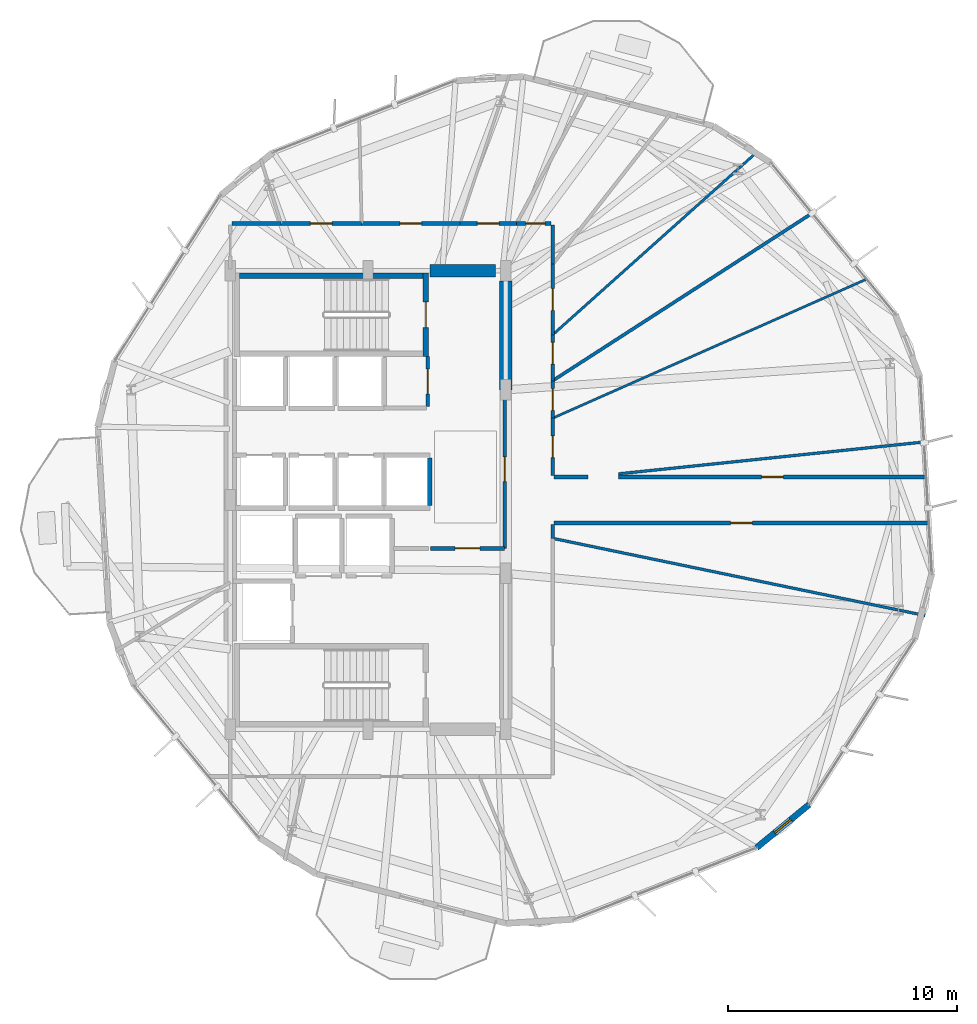
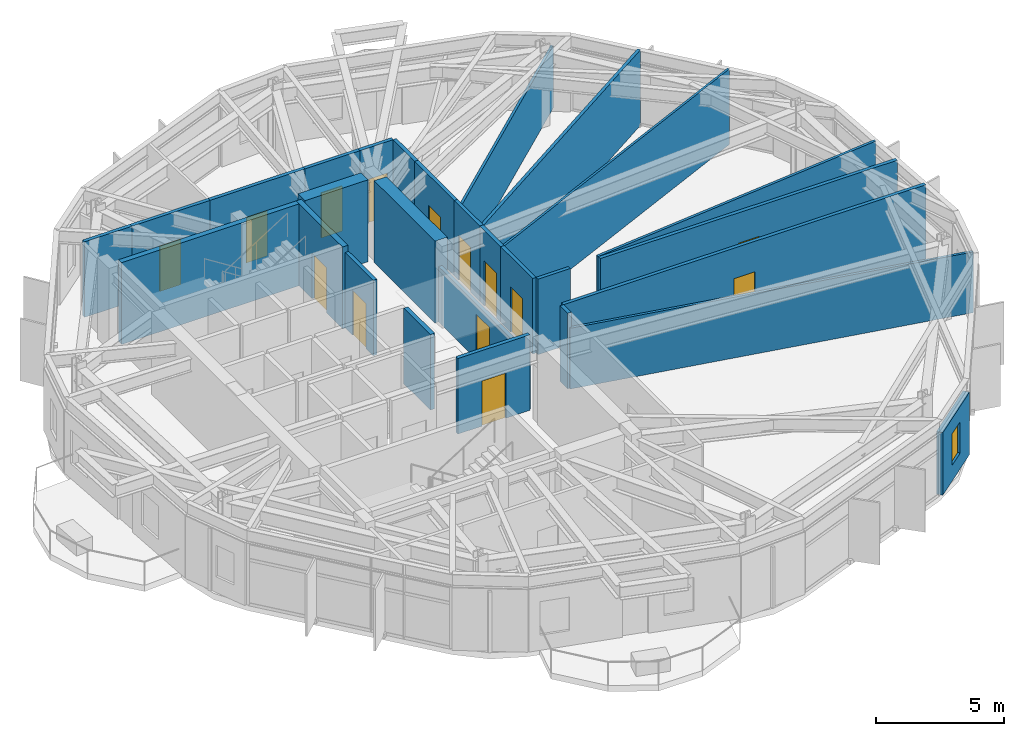
# One storey, part 18 of 22: 28 walls, 14 doors, 1 window, 15 openings.
"""IFC4 building model written with IfcOpenShell, lengths in metres."""

import ifcopenshell
import ifcopenshell.guid

model = None  # the IFC model being written
_history = None  # IfcOwnerHistory: only IFC2X3 demands one
_inside = {}  # id of a spatial element -> (the spatial element, [elements in it])
_under = {}  # id of a project, library or spatial element -> (it, [spatial elements below it])
_declared = {}  # id of a project -> (the project, [libraries it declares])
_typed = {}  # id of a type object -> (the type object, [elements of that type])
_made_of = {}  # id of a material, layer set ... -> (it, [elements and type objects made of it])


def new_model(schema):
    """Start an empty IFC model of exactly this schema.

    Asked for "IFC4X3", IfcOpenShell would pick the latest addendum, in which some entities
    have other attributes; the version numbers below select the first issue.
    IFC2X3 requires an IfcOwnerHistory on every rooted entity: one is made here for all.
    """
    global model, _history
    if schema == "IFC4X3":
        model = ifcopenshell.file(schema_version=(4, 3, 0, 0))
    else:
        model = ifcopenshell.file(schema=schema)
    _inside.clear()
    _under.clear()
    _declared.clear()
    _typed.clear()
    _made_of.clear()
    _history = None
    if model.schema == "IFC2X3":
        org = make("IfcOrganization", Name="unknown")
        user = make(
            "IfcPersonAndOrganization",
            ThePerson=make("IfcPerson", FamilyName="unknown"),
            TheOrganization=org,
        )
        app = make(
            "IfcApplication",
            ApplicationDeveloper=org,
            Version="unknown",
            ApplicationFullName="unknown",
            ApplicationIdentifier="unknown",
        )
        _history = make(
            "IfcOwnerHistory",
            OwningUser=user,
            OwningApplication=app,
            ChangeAction="ADDED",
            CreationDate=0,
        )
    return model


def make(cls, **values):
    """One entity of the class cls with the attributes given. An attribute that is None is left unset."""
    return model.create_entity(
        cls, **{name: value for name, value in values.items() if value is not None}
    )


def rooted(cls, **values):
    """An entity with a GlobalId (a new one), such as an element, a storey or a relation."""
    return make(cls, GlobalId=ifcopenshell.guid.new(), OwnerHistory=_history, **values)


def si_unit(unit_type, name, prefix=None):
    """IfcSIUnit, for example si_unit("LENGTHUNIT", "METRE", prefix="MILLI")."""
    return make("IfcSIUnit", UnitType=unit_type, Prefix=prefix, Name=name)


def assignment(units):
    """IfcUnitAssignment: the units of a project."""
    return None if units is None else make("IfcUnitAssignment", Units=units)


def point(xyz):
    """IfcCartesianPoint."""
    return None if xyz is None else make("IfcCartesianPoint", Coordinates=xyz)


def direction(xyz):
    """IfcDirection."""
    return None if xyz is None else make("IfcDirection", DirectionRatios=xyz)


def frame(location, z_axis=None, x_axis=None):
    """IfcAxis2Placement3D, a coordinate frame: its origin and axes. An axis left out is left unset."""
    return make(
        "IfcAxis2Placement3D",
        Location=point(location),
        Axis=direction(z_axis),
        RefDirection=direction(x_axis),
    )


def frame_2d(location, x_axis=None):
    """IfcAxis2Placement2D, a coordinate frame in the plane: its origin and x axis."""
    return make(
        "IfcAxis2Placement2D", Location=point(location), RefDirection=direction(x_axis)
    )


def origin():
    """The frame at (0, 0, 0) with its axes left unset."""
    return frame((0.0, 0.0, 0.0))


def place(relative_to, where):
    """IfcLocalPlacement: puts the frame where relative to a parent placement (None: the world)."""
    return make(
        "IfcLocalPlacement", PlacementRelTo=relative_to, RelativePlacement=where
    )


def context(
    kind, dimensions, precision=None, world=None, true_north=None, identifier=None
):
    """IfcGeometricRepresentationContext, for example the 3D "Model" context."""
    return make(
        "IfcGeometricRepresentationContext",
        ContextIdentifier=identifier,
        ContextType=kind,
        CoordinateSpaceDimension=dimensions,
        Precision=precision,
        WorldCoordinateSystem=world,
        TrueNorth=true_north,
    )


def subcontext(parent, identifier, kind, view, scale=None):
    """IfcGeometricRepresentationSubContext, for example "Body" below "Model"."""
    return make(
        "IfcGeometricRepresentationSubContext",
        ContextIdentifier=identifier,
        ContextType=kind,
        ParentContext=parent,
        TargetScale=scale,
        TargetView=view,
    )


def project(units=None, contexts=None):
    """IfcProject with its units and contexts."""
    return rooted(
        "IfcProject",
        Name="project",
        RepresentationContexts=contexts,
        UnitsInContext=assignment(units),
    )


def spatial(cls, under=None, at=None, **own):
    """A site, building, storey or space (cls), placed at a placement, below another one or the project."""
    s = rooted(cls, ObjectPlacement=at, **own)
    if under is not None:
        _under.setdefault(under.id(), (under, []))[1].append(s)
    return s


def profile(cls, at=None, kind="AREA", **sizes):
    """A parametric profile (cls). Its sizes go by their IFC names, for example OverallWidth=200.0."""
    return make(cls, ProfileType=kind, Position=at, **sizes)


def rectangle(**sizes):
    """IfcRectangleProfileDef."""
    return profile("IfcRectangleProfileDef", **sizes)


def extrude(swept, where, along, depth):
    """IfcExtrudedAreaSolid: the profile swept, set in the frame where, extruded along a direction by depth."""
    return make(
        "IfcExtrudedAreaSolid",
        SweptArea=swept,
        Position=where,
        ExtrudedDirection=direction(along),
        Depth=depth,
    )


def shape(context_of_items, identifier, shape_type, items):
    """IfcShapeRepresentation: the items that make up one representation, for example the "Body"."""
    return make(
        "IfcShapeRepresentation",
        ContextOfItems=context_of_items,
        RepresentationIdentifier=identifier,
        RepresentationType=shape_type,
        Items=items,
    )


def material(Name=None, Category=None):
    """IfcMaterial."""
    return make("IfcMaterial", Name=Name, Category=Category)


def layer(
    of_material, thickness, ventilated=None, Name=None, Category=None, Priority=None
):
    """IfcMaterialLayer: one layer of a wall or slab, of a material (None: an air gap)."""
    return make(
        "IfcMaterialLayer",
        Material=of_material,
        LayerThickness=thickness,
        IsVentilated=ventilated,
        Name=Name,
        Category=Category,
        Priority=Priority,
    )


def layer_set(layers, Name=None):
    """IfcMaterialLayerSet."""
    return make("IfcMaterialLayerSet", MaterialLayers=layers, LayerSetName=Name)


def made_of(thing, what):
    """Note that an element or type object is made of a material, layer set ...; save() writes the relation."""
    if what is not None:
        _made_of.setdefault(what.id(), (what, []))[1].append(thing)
    return thing


def type_object(cls, material=None, **own):
    """A type object (cls), such as IfcWallType, which elements share."""
    return made_of(rooted(cls, **own), material)


def element(
    cls,
    number,
    at=None,
    inside=None,
    cuts=None,
    type_object=None,
    material=None,
    context=None,
    identifier="Body",
    shape_type=None,
    held_by="IfcProductDefinitionShape",
    body=None,
    shapes=None,
    **own,
):
    """One element of the class cls, such as IfcWall. Its Tag is "e" and its number.

    at: its placement. inside: the storey or other place that contains it. cuts: it is an
    opening in that element (IfcRelVoidsElement). A single representation is given by context,
    identifier, shape_type and body (its items); several are given by shapes. held_by: the class
    of the entity that holds the representations. save() writes the other relations.
    """
    e = rooted(cls, Tag="e%d" % number, ObjectPlacement=at, **own)
    if body is not None:
        shapes = [shape(context, identifier, shape_type, body)]
    if shapes is not None:
        e.Representation = make(held_by, Representations=shapes)
    if inside is not None:
        _inside.setdefault(inside.id(), (inside, []))[1].append(e)
    if cuts is not None:
        rooted(
            "IfcRelVoidsElement", RelatingBuildingElement=cuts, RelatedOpeningElement=e
        )
    if type_object is not None:
        _typed.setdefault(type_object.id(), (type_object, []))[1].append(e)
    return made_of(e, material)


def fill(opening, filler):
    """IfcRelFillsElement: the door or window that sits in an opening."""
    return rooted(
        "IfcRelFillsElement",
        RelatingOpeningElement=opening,
        RelatedBuildingElement=filler,
    )


def aggregate(whole, parts):
    """IfcRelAggregates: a whole, such as a stair, and the parts it consists of."""
    return rooted("IfcRelAggregates", RelatingObject=whole, RelatedObjects=parts)


def save(model, path):
    """Write the relations noted so far, then the file.

    IfcRelAggregates (storeys below a building ...), IfcRelContainedInSpatialStructure (elements
    in a storey), IfcRelDefinesByType, IfcRelAssociatesMaterial and IfcRelDeclares: one each for
    every whole, place, type object, material and project.
    """
    for whole, parts in _under.values():
        aggregate(whole, parts)
    for where, things in _inside.values():
        rooted(
            "IfcRelContainedInSpatialStructure",
            RelatedElements=things,
            RelatingStructure=where,
        )
    for kind, things in _typed.values():
        rooted("IfcRelDefinesByType", RelatedObjects=things, RelatingType=kind)
    for what, things in _made_of.values():
        rooted("IfcRelAssociatesMaterial", RelatedObjects=things, RelatingMaterial=what)
    for by, libraries in _declared.values():
        rooted("IfcRelDeclares", RelatingContext=by, RelatedDefinitions=libraries)
    model.write(path)


model = new_model("IFC4")

# Units and contexts
model_context = context("Model", 3, precision=1e-05, world=origin(), true_north=direction((0.0, 1.0)))
body_context = subcontext(model_context, "Body", "Model", "MODEL_VIEW")
ifc_project = project(units=[si_unit("LENGTHUNIT", "METRE"), si_unit("AREAUNIT", "SQUARE_METRE"), si_unit("VOLUMEUNIT", "CUBIC_METRE"), si_unit("PLANEANGLEUNIT", "RADIAN"), si_unit("MASSUNIT", "GRAM", prefix="KILO")], contexts=[model_context])

# Site, building, storey
site_placement = place(None, origin())
site = spatial("IfcSite", under=ifc_project, at=site_placement, CompositionType="ELEMENT")
building_placement = place(site_placement, origin())
building = spatial("IfcBuilding", under=site, at=building_placement, Name="Soratama Intermodal Tower", CompositionType="ELEMENT")
storey_placement = place(building_placement, frame((0.0, 0.0, 110.800048828125)))
storey = spatial("IfcBuildingStorey", under=building, at=storey_placement, Name="L26", CompositionType="ELEMENT", Elevation=110.800048828125)

# Wall, opening, window
ifc_material_1 = material(Name="Concrete f'c 42 MPa", Category="concrete")
ifc_layer_1 = layer(ifc_material_1, 0.27001953125)
ifc_layer_set_1 = layer_set([ifc_layer_1], Name="Concrete f'c 42 MPa")
wall_type_1 = type_object("IfcWallType", Name="EW-CRN-270", PredefinedType="SOLIDWALL", material=ifc_layer_set_1)
wall_1_placement = place(storey_placement, frame((55.541015625, 9.84033203125, 0.0), z_axis=(0.0, 0.0, 1.0), x_axis=(0.772514297214, 0.634997370545, 0.0)))
wall_1 = element("IfcWall", 1, at=wall_1_placement, inside=storey, type_object=wall_type_1, Name="L26 Corner Closure Wall 08", PredefinedType="SOLIDWALL", context=body_context, shape_type="SweptSolid", body=[
    extrude(rectangle(XDim=2.966552734375, YDim=0.27001953125, at=frame_2d((1.4833984375, 0.0))), origin(), (0.0, 0.0, 1.0), 2.97900390625),
])
opening_1_placement = place(wall_1_placement, frame((1.033203125, 0.0, 0.75)))
opening_1 = element("IfcOpeningElement", 2, at=opening_1_placement, cuts=wall_1, Name="Opening WN-6", PredefinedType="OPENING", context=body_context, shape_type="SweptSolid", body=[
    extrude(rectangle(XDim=0.89990234375, YDim=1.5, at=frame_2d((0.449951171875, 0.75))), frame((0.0, 0.14501953125, 0.0), z_axis=(0.0, -1.0, 0.0), x_axis=(1.0, 0.0, 0.0)), (0.0, 0.0, 1.0), 0.2900390625),
])
ifc_material_2 = material(Name="Double-glazed aluminium window", Category="aluminium")
window_type = type_object("IfcWindowType", Name="WN-FAC-900", PartitioningType="SINGLE_PANEL", PredefinedType="WINDOW", material=ifc_material_2)
window_placement = place(opening_1_placement, origin())
window = element("IfcWindow", 3, at=window_placement, inside=storey, type_object=window_type, Name="L26 Corner Window 08", OverallHeight=1.5, OverallWidth=0.89990234375, PartitioningType="SINGLE_PANEL", PredefinedType="WINDOW", context=body_context, shape_type="SweptSolid", body=[
    extrude(rectangle(XDim=0.89990234375, YDim=1.5, at=frame_2d((0.449951171875, 0.75))), frame((0.0, 0.030029296875, 0.0), z_axis=(0.0, -1.0, 0.0), x_axis=(1.0, 0.0, 0.0)), (0.0, 0.0, 1.0), 0.06005859375),
])
fill(opening_1, window)

# Wall, opening, door
ifc_material_3 = material(Name="Fire-rated gypsum stud partition", Category="concrete")
ifc_layer_2 = layer(ifc_material_3, 0.159912109375)
ifc_layer_set_2 = layer_set([ifc_layer_2], Name="Fire-rated gypsum stud partition")
wall_type_2 = type_object("IfcWallType", Name="IW-PART-R160", PredefinedType="PARTITIONING", material=ifc_layer_set_2)
wall_2_placement = place(storey_placement, frame((63.053955078125, 24.0, 0.0), z_axis=(0.0, 0.0, 1.0), x_axis=(-1.0, 0.0, 0.0)))
wall_2 = element("IfcWall", 4, at=wall_2_placement, inside=storey, type_object=wall_type_2, Name="L26 Partition W-L26-TP002", PredefinedType="PARTITIONING", context=body_context, shape_type="SweptSolid", body=[
    extrude(rectangle(XDim=16.333984375, YDim=0.159912109375, at=frame_2d((8.1669921875, 0.0))), origin(), (0.0, 0.0, 1.0), 3.599853515625),
])
opening_2_placement = place(wall_2_placement, frame((7.69189453125, 0.0, 0.0)))
opening_2 = element("IfcOpeningElement", 5, at=opening_2_placement, cuts=wall_2, Name="Opening ID-3", PredefinedType="OPENING", context=body_context, shape_type="SweptSolid", body=[
    extrude(rectangle(XDim=0.949951171875, YDim=2.14990234375, at=frame_2d((0.47509765625, 1.074951171875))), frame((0.0, 0.08984375, 0.0), z_axis=(0.0, -1.0, 0.0), x_axis=(1.0, 0.0, 0.0)), (0.0, 0.0, 1.0), 0.179931640625),
])
ifc_material_4 = material(Name="Solid hardwood acoustic door", Category="wood")
door_type_1 = type_object("IfcDoorType", Name="DR-ROOM-950", OperationType="NOTDEFINED", PredefinedType="DOOR", material=ifc_material_4)
door_1_placement = place(opening_2_placement, origin())
door_1 = element("IfcDoor", 6, at=door_1_placement, inside=storey, type_object=door_type_1, Name="L26 Door D-L26-TP001", OperationType="SINGLE_SWING_RIGHT", OverallHeight=2.14990234375, OverallWidth=0.949951171875, PredefinedType="DOOR", context=body_context, shape_type="SweptSolid", body=[
    extrude(rectangle(XDim=0.949951171875, YDim=2.14990234375, at=frame_2d((0.47509765625, 1.074951171875))), frame((0.0, 0.02490234375, 0.0), z_axis=(0.0, -1.0, 0.0), x_axis=(1.0, 0.0, 0.0)), (0.0, 0.0, 1.0), 0.050048828125),
])
fill(opening_2, door_1)

wall_3_placement = place(storey_placement, frame((49.531982421875, 26.0, 0.0), z_axis=(0.0, 0.0, 1.0), x_axis=(1.0, 0.0, 0.0)))
wall_3 = element("IfcWall", 7, at=wall_3_placement, inside=storey, type_object=wall_type_2, Name="L26 Partition W-L26-TP005", PredefinedType="PARTITIONING", context=body_context, shape_type="SweptSolid", body=[
    extrude(rectangle(XDim=13.402099609375, YDim=0.159912109375, at=frame_2d((6.701171875, 0.0))), origin(), (0.0, 0.0, 1.0), 3.599853515625),
])
opening_3_placement = place(wall_3_placement, frame((6.22607421875, 0.0, 0.0)))
opening_3 = element("IfcOpeningElement", 8, at=opening_3_placement, cuts=wall_3, Name="Opening ID-3", PredefinedType="OPENING", context=body_context, shape_type="SweptSolid", body=[
    extrude(rectangle(XDim=0.949951171875, YDim=2.14990234375, at=frame_2d((0.47509765625, 1.074951171875))), frame((0.0, 0.08984375, 0.0), z_axis=(0.0, -1.0, 0.0), x_axis=(1.0, 0.0, 0.0)), (0.0, 0.0, 1.0), 0.179931640625),
])
door_2_placement = place(opening_3_placement, origin())
door_2 = element("IfcDoor", 9, at=door_2_placement, inside=storey, type_object=door_type_1, Name="L26 Door D-L26-TP002", OperationType="SINGLE_SWING_LEFT", OverallHeight=2.14990234375, OverallWidth=0.949951171875, PredefinedType="DOOR", context=body_context, shape_type="SweptSolid", body=[
    extrude(rectangle(XDim=0.949951171875, YDim=2.14990234375, at=frame_2d((0.47509765625, 1.074951171875))), frame((0.0, 0.02490234375, 0.0), z_axis=(0.0, -1.0, 0.0), x_axis=(1.0, 0.0, 0.0)), (0.0, 0.0, 1.0), 0.050048828125),
])
fill(opening_3, door_2)

wall_4_placement = place(storey_placement, frame((44.56005859375, 29.800048828125, 0.0), z_axis=(0.0, 0.0, 1.0), x_axis=(0.0, -1.0, 0.0)))
wall_4 = element("IfcWall", 10, at=wall_4_placement, inside=storey, type_object=wall_type_2, Name="L26 Partition W-L26-TP012", PredefinedType="PARTITIONING", context=body_context, shape_type="SweptSolid", body=[
    extrude(rectangle(XDim=6.91015625, YDim=0.159912109375, at=frame_2d((3.455078125, 0.0))), origin(), (0.0, 0.0, 1.0), 2.639892578125),
])
opening_4_placement = place(wall_4_placement, frame((2.9150390625, 0.0, 0.0)))
opening_4 = element("IfcOpeningElement", 11, at=opening_4_placement, cuts=wall_4, Name="Opening ID-1", PredefinedType="OPENING", context=body_context, shape_type="SweptSolid", body=[
    extrude(rectangle(XDim=1.080078125, YDim=2.14990234375, at=frame_2d((0.5400390625, 1.074951171875))), frame((0.0, 0.08984375, 0.0), z_axis=(0.0, -1.0, 0.0), x_axis=(1.0, 0.0, 0.0)), (0.0, 0.0, 1.0), 0.179931640625),
])
ifc_material_5 = material(Name="Solid hardwood acoustic door", Category="wood")
door_type_2 = type_object("IfcDoorType", Name="DR-LOB-FD60", OperationType="NOTDEFINED", PredefinedType="DOOR", material=ifc_material_5)
door_3_placement = place(opening_4_placement, origin())
door_3 = element("IfcDoor", 12, at=door_3_placement, inside=storey, type_object=door_type_2, Name="L26 Door D-L26-TP005", OperationType="SINGLE_SWING_RIGHT", OverallHeight=2.14990234375, OverallWidth=1.080078125, PredefinedType="DOOR", context=body_context, shape_type="SweptSolid", body=[
    extrude(rectangle(XDim=1.080078125, YDim=2.14990234375, at=frame_2d((0.5400390625, 1.074951171875))), frame((0.0, 0.02490234375, 0.0), z_axis=(0.0, -1.0, 0.0), x_axis=(1.0, 0.0, 0.0)), (0.0, 0.0, 1.0), 0.050048828125),
])
fill(opening_4, door_3)

wall_5_placement = place(storey_placement, frame((38.323974609375, 37.050048828125, 0.0), z_axis=(0.0, 0.0, 1.0), x_axis=(1.0, 0.0, 0.0)))
wall_5 = element("IfcWall", 13, at=wall_5_placement, inside=storey, type_object=wall_type_2, Name="L26 Partition W-L26-TP017", PredefinedType="PARTITIONING", context=body_context, shape_type="SweptSolid", body=[
    extrude(rectangle(XDim=4.2900390625, YDim=0.159912109375, at=frame_2d((2.14501953125, 0.0))), origin(), (0.0, 0.0, 1.0), 3.599853515625),
])
opening_5_placement = place(wall_5_placement, frame((1.669921875, 0.0, 0.0)))
opening_5 = element("IfcOpeningElement", 14, at=opening_5_placement, cuts=wall_5, Name="Opening ID-3", PredefinedType="OPENING", context=body_context, shape_type="SweptSolid", body=[
    extrude(rectangle(XDim=0.949951171875, YDim=2.14990234375, at=frame_2d((0.47509765625, 1.074951171875))), frame((0.0, 0.08984375, 0.0), z_axis=(0.0, -1.0, 0.0), x_axis=(1.0, 0.0, 0.0)), (0.0, 0.0, 1.0), 0.179931640625),
])
door_4_placement = place(opening_5_placement, origin())
door_4 = element("IfcDoor", 15, at=door_4_placement, inside=storey, type_object=door_type_1, Name="L26 Door D-L26-TP006", OperationType="SINGLE_SWING_LEFT", OverallHeight=2.14990234375, OverallWidth=0.949951171875, PredefinedType="DOOR", context=body_context, shape_type="SweptSolid", body=[
    extrude(rectangle(XDim=0.949951171875, YDim=2.14990234375, at=frame_2d((0.47509765625, 1.074951171875))), frame((0.0, 0.02490234375, 0.0), z_axis=(0.0, -1.0, 0.0), x_axis=(1.0, 0.0, 0.0)), (0.0, 0.0, 1.0), 0.050048828125),
])
fill(opening_5, door_4)

wall_6_placement = place(storey_placement, frame((34.81005859375, 37.050048828125, 0.0), z_axis=(0.0, 0.0, 1.0), x_axis=(1.0, 0.0, 0.0)))
wall_6 = element("IfcWall", 16, at=wall_6_placement, inside=storey, type_object=wall_type_2, Name="L26 Partition W-L26-TP020", PredefinedType="PARTITIONING", context=body_context, shape_type="SweptSolid", body=[
    extrude(rectangle(XDim=3.513916015625, YDim=0.159912109375, at=frame_2d((1.7568359375, 0.0))), origin(), (0.0, 0.0, 1.0), 3.599853515625),
])
opening_6_placement = place(wall_6_placement, frame((1.281982421875, 0.0, 0.0)))
opening_6 = element("IfcOpeningElement", 17, at=opening_6_placement, cuts=wall_6, Name="Opening ID-3", PredefinedType="OPENING", context=body_context, shape_type="SweptSolid", body=[
    extrude(rectangle(XDim=0.949951171875, YDim=2.14990234375, at=frame_2d((0.47509765625, 1.074951171875))), frame((0.0, 0.08984375, 0.0), z_axis=(0.0, -1.0, 0.0), x_axis=(1.0, 0.0, 0.0)), (0.0, 0.0, 1.0), 0.179931640625),
])
door_5_placement = place(opening_6_placement, origin())
door_5 = element("IfcDoor", 18, at=door_5_placement, inside=storey, type_object=door_type_1, Name="L26 Door D-L26-TP008", OperationType="SINGLE_SWING_LEFT", OverallHeight=2.14990234375, OverallWidth=0.949951171875, PredefinedType="DOOR", context=body_context, shape_type="SweptSolid", body=[
    extrude(rectangle(XDim=0.949951171875, YDim=2.14990234375, at=frame_2d((0.47509765625, 1.074951171875))), frame((0.0, 0.02490234375, 0.0), z_axis=(0.0, -1.0, 0.0), x_axis=(1.0, 0.0, 0.0)), (0.0, 0.0, 1.0), 0.050048828125),
])
fill(opening_6, door_5)

wall_7_placement = place(storey_placement, frame((46.64990234375, 35.277099609375, 0.0), z_axis=(0.0, 0.0, 1.0), x_axis=(0.0, -1.0, 0.0)))
wall_7 = element("IfcWall", 19, at=wall_7_placement, inside=storey, type_object=wall_type_2, Name="L26 Partition W-L26-TP024", PredefinedType="PARTITIONING", context=body_context, shape_type="SweptSolid", body=[
    extrude(rectangle(XDim=3.078125, YDim=0.159912109375, at=frame_2d((1.5390625, 0.0))), origin(), (0.0, 0.0, 1.0), 3.599853515625),
])
opening_7_placement = place(wall_7_placement, frame((1.06396484375, 0.0, 0.0)))
opening_7 = element("IfcOpeningElement", 20, at=opening_7_placement, cuts=wall_7, Name="Opening ID-3", PredefinedType="OPENING", context=body_context, shape_type="SweptSolid", body=[
    extrude(rectangle(XDim=0.949951171875, YDim=2.14990234375, at=frame_2d((0.47509765625, 1.074951171875))), frame((0.0, 0.08984375, 0.0), z_axis=(0.0, -1.0, 0.0), x_axis=(1.0, 0.0, 0.0)), (0.0, 0.0, 1.0), 0.179931640625),
])
door_6_placement = place(opening_7_placement, origin())
door_6 = element("IfcDoor", 21, at=door_6_placement, inside=storey, type_object=door_type_1, Name="L26 Door D-L26-TP010", OperationType="SINGLE_SWING_LEFT", OverallHeight=2.14990234375, OverallWidth=0.949951171875, PredefinedType="DOOR", context=body_context, shape_type="SweptSolid", body=[
    extrude(rectangle(XDim=0.949951171875, YDim=2.14990234375, at=frame_2d((0.47509765625, 1.074951171875))), frame((0.0, 0.02490234375, 0.0), z_axis=(0.0, -1.0, 0.0), x_axis=(1.0, 0.0, 0.0)), (0.0, 0.0, 1.0), 0.050048828125),
])
fill(opening_7, door_6)

wall_8_placement = place(storey_placement, frame((46.64990234375, 28.56591796875, 0.0), z_axis=(0.0, 0.0, 1.0), x_axis=(0.0, -1.0, 0.0)))
wall_8 = element("IfcWall", 22, at=wall_8_placement, inside=storey, type_object=wall_type_2, Name="L26 Partition W-L26-TP026", PredefinedType="PARTITIONING", context=body_context, shape_type="SweptSolid", body=[
    extrude(rectangle(XDim=2.495849609375, YDim=0.159912109375, at=frame_2d((1.248046875, 0.0))), origin(), (0.0, 0.0, 1.0), 3.599853515625),
])
opening_8_placement = place(wall_8_placement, frame((0.77294921875, 0.0, 0.0)))
opening_8 = element("IfcOpeningElement", 23, at=opening_8_placement, cuts=wall_8, Name="Opening ID-3", PredefinedType="OPENING", context=body_context, shape_type="SweptSolid", body=[
    extrude(rectangle(XDim=0.949951171875, YDim=2.14990234375, at=frame_2d((0.47509765625, 1.074951171875))), frame((0.0, 0.08984375, 0.0), z_axis=(0.0, -1.0, 0.0), x_axis=(1.0, 0.0, 0.0)), (0.0, 0.0, 1.0), 0.179931640625),
])
door_7_placement = place(opening_8_placement, origin())
door_7 = element("IfcDoor", 24, at=door_7_placement, inside=storey, type_object=door_type_1, Name="L26 Door D-L26-TP011", OperationType="SINGLE_SWING_RIGHT", OverallHeight=2.14990234375, OverallWidth=0.949951171875, PredefinedType="DOOR", context=body_context, shape_type="SweptSolid", body=[
    extrude(rectangle(XDim=0.949951171875, YDim=2.14990234375, at=frame_2d((0.47509765625, 1.074951171875))), frame((0.0, 0.02490234375, 0.0), z_axis=(0.0, -1.0, 0.0), x_axis=(1.0, 0.0, 0.0)), (0.0, 0.0, 1.0), 0.050048828125),
])
fill(opening_8, door_7)

wall_9_placement = place(storey_placement, frame((42.614013671875, 37.050048828125, 0.0), z_axis=(0.0, 0.0, 1.0), x_axis=(1.0, 0.0, 0.0)))
wall_9 = element("IfcWall", 25, at=wall_9_placement, inside=storey, type_object=wall_type_2, Name="L26 Partition W-L26-TP027", PredefinedType="PARTITIONING", context=body_context, shape_type="SweptSolid", body=[
    extrude(rectangle(XDim=2.4599609375, YDim=0.159912109375, at=frame_2d((1.22998046875, 0.0))), origin(), (0.0, 0.0, 1.0), 3.599853515625),
])
opening_9_placement = place(wall_9_placement, frame((0.7548828125, 0.0, 0.0)))
opening_9 = element("IfcOpeningElement", 26, at=opening_9_placement, cuts=wall_9, Name="Opening ID-3", PredefinedType="OPENING", context=body_context, shape_type="SweptSolid", body=[
    extrude(rectangle(XDim=0.949951171875, YDim=2.14990234375, at=frame_2d((0.47509765625, 1.074951171875))), frame((0.0, 0.08984375, 0.0), z_axis=(0.0, -1.0, 0.0), x_axis=(1.0, 0.0, 0.0)), (0.0, 0.0, 1.0), 0.179931640625),
])
door_8_placement = place(opening_9_placement, origin())
door_8 = element("IfcDoor", 27, at=door_8_placement, inside=storey, type_object=door_type_1, Name="L26 Door D-L26-TP012", OperationType="SINGLE_SWING_LEFT", OverallHeight=2.14990234375, OverallWidth=0.949951171875, PredefinedType="DOOR", context=body_context, shape_type="SweptSolid", body=[
    extrude(rectangle(XDim=0.949951171875, YDim=2.14990234375, at=frame_2d((0.47509765625, 1.074951171875))), frame((0.0, 0.02490234375, 0.0), z_axis=(0.0, -1.0, 0.0), x_axis=(1.0, 0.0, 0.0)), (0.0, 0.0, 1.0), 0.050048828125),
])
fill(opening_9, door_8)

wall_10_placement = place(storey_placement, frame((41.199951171875, 29.070068359375, 0.0), z_axis=(0.0, 0.0, 1.0), x_axis=(0.0, 1.0, 0.0)))
wall_10 = element("IfcWall", 28, at=wall_10_placement, inside=storey, type_object=wall_type_2, Name="L26 Partition W-L26-TP028", PredefinedType="PARTITIONING", context=body_context, shape_type="SweptSolid", body=[
    extrude(rectangle(XDim=2.18994140625, YDim=0.159912109375, at=frame_2d((1.094970703125, 0.0))), origin(), (0.0, 0.0, 1.0), 3.599853515625),
])
opening_10_placement = place(wall_10_placement, frame((0.554931640625, 0.0, 0.0)))
opening_10 = element("IfcOpeningElement", 29, at=opening_10_placement, cuts=wall_10, Name="Opening ID-1", PredefinedType="OPENING", context=body_context, shape_type="SweptSolid", body=[
    extrude(rectangle(XDim=1.080078125, YDim=2.14990234375, at=frame_2d((0.5400390625, 1.074951171875))), frame((0.0, 0.08984375, 0.0), z_axis=(0.0, -1.0, 0.0), x_axis=(1.0, 0.0, 0.0)), (0.0, 0.0, 1.0), 0.179931640625),
])
door_9_placement = place(opening_10_placement, origin())
door_9 = element("IfcDoor", 30, at=door_9_placement, inside=storey, type_object=door_type_2, Name="L26 Door D-L26-TP013", OperationType="SINGLE_SWING_RIGHT", OverallHeight=2.14990234375, OverallWidth=1.080078125, PredefinedType="DOOR", context=body_context, shape_type="SweptSolid", body=[
    extrude(rectangle(XDim=1.080078125, YDim=2.14990234375, at=frame_2d((0.5400390625, 1.074951171875))), frame((0.0, 0.02490234375, 0.0), z_axis=(0.0, -1.0, 0.0), x_axis=(1.0, 0.0, 0.0)), (0.0, 0.0, 1.0), 0.050048828125),
])
fill(opening_10, door_9)

# Wall
wall_11_placement = place(storey_placement, frame((32.669921875, 37.050048828125, 0.0), z_axis=(0.0, 0.0, 1.0), x_axis=(1.0, 0.0, 0.0)))
element("IfcWall", 31, at=wall_11_placement, inside=storey, type_object=wall_type_2, Name="L26 Partition W-L26-TP029", PredefinedType="PARTITIONING", context=body_context, shape_type="SweptSolid", body=[
    extrude(rectangle(XDim=2.14013671875, YDim=0.159912109375, at=frame_2d((1.070068359375, 0.0))), origin(), (0.0, 0.0, 1.0), 3.599853515625),
])

# Wall, opening, door
wall_12_placement = place(storey_placement, frame((46.64990234375, 32.198974609375, 0.0), z_axis=(0.0, 0.0, 1.0), x_axis=(0.0, -1.0, 0.0)))
wall_12 = element("IfcWall", 32, at=wall_12_placement, inside=storey, type_object=wall_type_2, Name="L26 Partition W-L26-TP030", PredefinedType="PARTITIONING", context=body_context, shape_type="SweptSolid", body=[
    extrude(rectangle(XDim=2.001953125, YDim=0.159912109375, at=frame_2d((1.0009765625, 0.0))), origin(), (0.0, 0.0, 1.0), 3.599853515625),
])
opening_11_placement = place(wall_12_placement, frame((0.325927734375, 0.0, 0.0)))
opening_11 = element("IfcOpeningElement", 33, at=opening_11_placement, cuts=wall_12, Name="Opening ID-3", PredefinedType="OPENING", context=body_context, shape_type="SweptSolid", body=[
    extrude(rectangle(XDim=0.949951171875, YDim=2.14990234375, at=frame_2d((0.47509765625, 1.074951171875))), frame((0.0, 0.08984375, 0.0), z_axis=(0.0, -1.0, 0.0), x_axis=(1.0, 0.0, 0.0)), (0.0, 0.0, 1.0), 0.179931640625),
])
door_10_placement = place(opening_11_placement, origin())
door_10 = element("IfcDoor", 34, at=door_10_placement, inside=storey, type_object=door_type_1, Name="L26 Door D-L26-TP014", OperationType="SINGLE_SWING_LEFT", OverallHeight=2.14990234375, OverallWidth=0.949951171875, PredefinedType="DOOR", context=body_context, shape_type="SweptSolid", body=[
    extrude(rectangle(XDim=0.949951171875, YDim=2.14990234375, at=frame_2d((0.47509765625, 1.074951171875))), frame((0.0, 0.02490234375, 0.0), z_axis=(0.0, -1.0, 0.0), x_axis=(1.0, 0.0, 0.0)), (0.0, 0.0, 1.0), 0.050048828125),
])
fill(opening_11, door_10)

# Wall
wall_13_placement = place(storey_placement, frame((46.64990234375, 36.97998046875, 0.0), z_axis=(0.0, 0.0, 1.0), x_axis=(0.0, -1.0, 0.0)))
element("IfcWall", 35, at=wall_13_placement, inside=storey, type_object=wall_type_2, Name="L26 Partition W-L26-TP033", PredefinedType="PARTITIONING", context=body_context, shape_type="SweptSolid", body=[
    extrude(rectangle(XDim=1.702880859375, YDim=0.159912109375, at=frame_2d((0.8515625, 0.0))), origin(), (0.0, 0.0, 1.0), 3.599853515625),
])

# Wall, opening, door
wall_14_placement = place(storey_placement, frame((46.64990234375, 30.197021484375, 0.0), z_axis=(0.0, 0.0, 1.0), x_axis=(0.0, -1.0, 0.0)))
wall_14 = element("IfcWall", 36, at=wall_14_placement, inside=storey, type_object=wall_type_2, Name="L26 Partition W-L26-TP034", PredefinedType="PARTITIONING", context=body_context, shape_type="SweptSolid", body=[
    extrude(rectangle(XDim=1.631103515625, YDim=0.159912109375, at=frame_2d((0.8154296875, 0.0))), origin(), (0.0, 0.0, 1.0), 3.599853515625),
])
opening_12_placement = place(wall_14_placement, frame((0.341064453125, 0.0, 0.0)))
opening_12 = element("IfcOpeningElement", 37, at=opening_12_placement, cuts=wall_14, Name="Opening ID-3", PredefinedType="OPENING", context=body_context, shape_type="SweptSolid", body=[
    extrude(rectangle(XDim=0.949951171875, YDim=2.14990234375, at=frame_2d((0.47509765625, 1.074951171875))), frame((0.0, 0.08984375, 0.0), z_axis=(0.0, -1.0, 0.0), x_axis=(1.0, 0.0, 0.0)), (0.0, 0.0, 1.0), 0.179931640625),
])
door_11_placement = place(opening_12_placement, origin())
door_11 = element("IfcDoor", 38, at=door_11_placement, inside=storey, type_object=door_type_1, Name="L26 Door D-L26-TP016", OperationType="SINGLE_SWING_LEFT", OverallHeight=2.14990234375, OverallWidth=0.949951171875, PredefinedType="DOOR", context=body_context, shape_type="SweptSolid", body=[
    extrude(rectangle(XDim=0.949951171875, YDim=2.14990234375, at=frame_2d((0.47509765625, 1.074951171875))), frame((0.0, 0.02490234375, 0.0), z_axis=(0.0, -1.0, 0.0), x_axis=(1.0, 0.0, 0.0)), (0.0, 0.0, 1.0), 0.050048828125),
])
fill(opening_12, door_11)

wall_15_placement = place(storey_placement, frame((45.073974609375, 37.050048828125, 0.0), z_axis=(0.0, 0.0, 1.0), x_axis=(1.0, 0.0, 0.0)))
wall_15 = element("IfcWall", 39, at=wall_15_placement, inside=storey, type_object=wall_type_2, Name="L26 Partition W-L26-TP036", PredefinedType="PARTITIONING", context=body_context, shape_type="SweptSolid", body=[
    extrude(rectangle(XDim=1.506103515625, YDim=0.159912109375, at=frame_2d((0.7529296875, 0.0))), origin(), (0.0, 0.0, 1.0), 3.599853515625),
])
opening_13_placement = place(wall_15_placement, frame((0.403076171875, 0.0, 0.0)))
opening_13 = element("IfcOpeningElement", 40, at=opening_13_placement, cuts=wall_15, Name="Opening ID-4", PredefinedType="OPENING", context=body_context, shape_type="SweptSolid", body=[
    extrude(rectangle(XDim=0.85009765625, YDim=2.10009765625, at=frame_2d((0.425048828125, 1.050048828125))), frame((0.0, 0.08984375, 0.0), z_axis=(0.0, -1.0, 0.0), x_axis=(1.0, 0.0, 0.0)), (0.0, 0.0, 1.0), 0.179931640625),
])
ifc_material_6 = material(Name="Solid hardwood acoustic door", Category="wood")
door_type_3 = type_object("IfcDoorType", Name="DR-BATH-850", OperationType="NOTDEFINED", PredefinedType="DOOR", material=ifc_material_6)
door_12_placement = place(opening_13_placement, origin())
door_12 = element("IfcDoor", 41, at=door_12_placement, inside=storey, type_object=door_type_3, Name="L26 Door D-L26-TP017", OperationType="SINGLE_SWING_RIGHT", OverallHeight=2.10009765625, OverallWidth=0.85009765625, PredefinedType="DOOR", context=body_context, shape_type="SweptSolid", body=[
    extrude(rectangle(XDim=0.85009765625, YDim=2.10009765625, at=frame_2d((0.425048828125, 1.050048828125))), frame((0.0, 0.02490234375, 0.0), z_axis=(0.0, -1.0, 0.0), x_axis=(1.0, 0.0, 0.0)), (0.0, 0.0, 1.0), 0.050048828125),
])
fill(opening_13, door_12)

# Walls
wall_16_placement = place(storey_placement, frame((46.64990234375, 23.929931640625, 0.0), z_axis=(0.0, 0.0, 1.0), x_axis=(0.0, -1.0, 0.0)))
element("IfcWall", 42, at=wall_16_placement, inside=storey, type_object=wall_type_2, Name="L26 Partition W-L26-TP037", PredefinedType="PARTITIONING", context=body_context, shape_type="SweptSolid", body=[
    extrude(rectangle(XDim=0.599853515625, YDim=0.159912109375, at=frame_2d((0.2998046875, 0.0))), origin(), (0.0, 0.0, 1.0), 3.599853515625),
])
wall_17_placement = place(storey_placement, frame((46.719970703125, 26.0, 0.0), z_axis=(0.0, 0.0, 1.0), x_axis=(1.0, 0.0, 0.0)))
element("IfcWall", 43, at=wall_17_placement, inside=storey, type_object=wall_type_2, Name="L26 Partition W-L26-TP038", PredefinedType="PARTITIONING", context=body_context, shape_type="SweptSolid", body=[
    extrude(rectangle(XDim=1.463134765625, YDim=0.159912109375, at=frame_2d((0.7314453125, 0.0))), origin(), (0.0, 0.0, 1.0), 3.599853515625),
])

# Wall, opening, door
ifc_material_7 = material(Name="Fire-rated gypsum stud partition", Category="concrete")
ifc_layer_3 = layer(ifc_material_7, 0.169921875)
ifc_layer_set_3 = layer_set([ifc_layer_3], Name="Fire-rated gypsum stud partition")
wall_type_3 = type_object("IfcWallType", Name="IW-PART-R170", PredefinedType="PARTITIONING", material=ifc_layer_set_3)
wall_18_placement = place(storey_placement, frame((41.320068359375, 22.889892578125, 0.0), z_axis=(0.0, 0.0, 1.0), x_axis=(1.0, 0.0, 0.0)))
wall_18 = element("IfcWall", 44, at=wall_18_placement, inside=storey, type_object=wall_type_3, Name="L26 Partition W-L26-TP021", PredefinedType="PARTITIONING", context=body_context, shape_type="SweptSolid", body=[
    extrude(rectangle(XDim=3.239990234375, YDim=0.169921875, at=frame_2d((1.6201171875, 0.0))), origin(), (0.0, 0.0, 1.0), 3.599853515625),
])
opening_14_placement = place(wall_18_placement, frame((1.080078125, 0.0, 0.0)))
opening_14 = element("IfcOpeningElement", 45, at=opening_14_placement, cuts=wall_18, Name="Opening ID-0", PredefinedType="OPENING", context=body_context, shape_type="SweptSolid", body=[
    extrude(rectangle(XDim=1.080078125, YDim=2.14990234375, at=frame_2d((0.5400390625, 1.074951171875))), frame((0.0, 0.094970703125, 0.0), z_axis=(0.0, -1.0, 0.0), x_axis=(1.0, 0.0, 0.0)), (0.0, 0.0, 1.0), 0.18994140625),
])
ifc_material_8 = material(Name="Solid hardwood acoustic door", Category="wood")
door_type_4 = type_object("IfcDoorType", Name="DR-LOB-FD90", OperationType="NOTDEFINED", PredefinedType="DOOR", material=ifc_material_8)
door_13_placement = place(opening_14_placement, origin())
door_13 = element("IfcDoor", 46, at=door_13_placement, inside=storey, type_object=door_type_4, Name="L26 Door D-L26-TP009", OperationType="SINGLE_SWING_RIGHT", OverallHeight=2.14990234375, OverallWidth=1.080078125, PredefinedType="DOOR", context=body_context, shape_type="SweptSolid", body=[
    extrude(rectangle(XDim=1.080078125, YDim=2.14990234375, at=frame_2d((0.5400390625, 1.074951171875))), frame((0.0, 0.02490234375, 0.0), z_axis=(0.0, -1.0, 0.0), x_axis=(1.0, 0.0, 0.0)), (0.0, 0.0, 1.0), 0.050048828125),
])
fill(opening_14, door_13)

# Walls
ifc_material_9 = material(Name="Fire-rated gypsum stud partition", Category="concrete")
ifc_layer_4 = layer(ifc_material_9, 0.10009765625)
ifc_layer_set_4 = layer_set([ifc_layer_4], Name="Fire-rated gypsum stud partition")
wall_type_4 = type_object("IfcWallType", Name="IW-PART-S100", PredefinedType="PARTITIONING", material=ifc_layer_set_4)
wall_19_placement = place(storey_placement, frame((46.64990234375, 28.56591796875, 0.0), z_axis=(0.0, 0.0, 1.0), x_axis=(0.914344731644, 0.40493667618, 0.0)))
element("IfcWall", 47, at=wall_19_placement, inside=storey, type_object=wall_type_4, Name="L26 Partition W-L26-TP003", PredefinedType="PARTITIONING", context=body_context, shape_type="SweptSolid", body=[
    extrude(rectangle(XDim=14.97021484375, YDim=0.10009765625, at=frame_2d((7.485107421875, 0.0))), origin(), (0.0, 0.0, 1.0), 3.599853515625),
])
ifc_material_10 = material(Name="Fire-rated gypsum stud partition", Category="concrete")
ifc_layer_5 = layer(ifc_material_10, 0.110107421875)
ifc_layer_set_5 = layer_set([ifc_layer_5], Name="Fire-rated gypsum stud partition")
wall_type_5 = type_object("IfcWallType", Name="IW-PART-S110", PredefinedType="PARTITIONING", material=ifc_layer_set_5)
wall_20_placement = place(storey_placement, frame((46.64990234375, 32.198974609375, 0.0), z_axis=(0.0, 0.0, 1.0), x_axis=(0.745394943762, 0.666623115272, 0.0)))
element("IfcWall", 48, at=wall_20_placement, inside=storey, type_object=wall_type_5, Name="L26 Partition W-L26-TP007", PredefinedType="PARTITIONING", context=body_context, shape_type="SweptSolid", body=[
    extrude(rectangle(XDim=12.010009765625, YDim=0.110107421875, at=frame_2d((6.0048828125, 0.0))), origin(), (0.0, 0.0, 1.0), 2.97802734375),
])
ifc_material_11 = material(Name="Fire-rated gypsum stud partition", Category="concrete")
ifc_layer_6 = layer(ifc_material_11, 0.1201171875)
ifc_layer_set_6 = layer_set([ifc_layer_6], Name="Fire-rated gypsum stud partition")
wall_type_6 = type_object("IfcWallType", Name="IW-PART-S120", PredefinedType="PARTITIONING", material=ifc_layer_set_6)
wall_21_placement = place(storey_placement, frame((46.64990234375, 23.330078125, 0.0), z_axis=(0.0, 0.0, 1.0), x_axis=(0.979171899111, -0.203032982523, 0.0)))
element("IfcWall", 49, at=wall_21_placement, inside=storey, type_object=wall_type_6, Name="L26 Partition W-L26-TP001", PredefinedType="PARTITIONING", context=body_context, shape_type="SweptSolid", body=[
    extrude(rectangle(XDim=16.58447265625, YDim=0.1201171875, at=frame_2d((8.292236328125, 0.0))), origin(), (0.0, 0.0, 1.0), 2.89501953125),
])
wall_22_placement = place(storey_placement, frame((49.52490234375, 26.139892578125, 0.0), z_axis=(0.0, 0.0, 1.0), x_axis=(0.994604112438, 0.103743238433, 0.0)))
element("IfcWall", 50, at=wall_22_placement, inside=storey, type_object=wall_type_6, Name="L26 Partition W-L26-TP006", PredefinedType="PARTITIONING", context=body_context, shape_type="SweptSolid", body=[
    extrude(rectangle(XDim=13.390380859375, YDim=0.1201171875, at=frame_2d((6.6953125, 0.0))), origin(), (0.0, 0.0, 1.0), 3.599853515625),
])
ifc_material_12 = material(Name="Fire-rated gypsum stud partition", Category="concrete")
ifc_layer_7 = layer(ifc_material_12, 0.139892578125)
ifc_layer_set_7 = layer_set([ifc_layer_7], Name="Fire-rated gypsum stud partition")
wall_type_7 = type_object("IfcWallType", Name="IW-PART-S140", PredefinedType="PARTITIONING", material=ifc_layer_set_7)
wall_23_placement = place(storey_placement, frame((46.64990234375, 30.197021484375, 0.0), z_axis=(0.0, 0.0, 1.0), x_axis=(0.840088397566, 0.542449522329, 0.0)))
element("IfcWall", 51, at=wall_23_placement, inside=storey, type_object=wall_type_7, Name="L26 Partition W-L26-TP004", PredefinedType="PARTITIONING", context=body_context, shape_type="SweptSolid", body=[
    extrude(rectangle(XDim=13.47607421875, YDim=0.139892578125, at=frame_2d((6.738037109375, 0.0))), origin(), (0.0, 0.0, 1.0), 3.599853515625),
])
ifc_material_13 = material(Name="Concrete f'c 42 MPa", Category="concrete")
ifc_layer_8 = layer(ifc_material_13, 0.199951171875)
ifc_layer_set_8 = layer_set([ifc_layer_8], Name="Concrete f'c 42 MPa")
wall_type_8 = type_object("IfcWallType", Name="IW-SHAFT-200", PredefinedType="SOLIDWALL", material=ifc_layer_set_8)
wall_24_placement = place(storey_placement, frame((41.300048828125, 24.760009765625, 0.0), z_axis=(0.0, 0.0, 1.0), x_axis=(0.0, 1.0, 0.0)))
element("IfcWall", 52, at=wall_24_placement, inside=storey, type_object=wall_type_8, Name="L26 PL-M1 Hoistway Wall E", PredefinedType="SOLIDWALL", context=body_context, shape_type="SweptSolid", body=[
    extrude(rectangle(XDim=2.080078125, YDim=0.199951171875, at=frame_2d((1.0400390625, 0.0))), origin(), (0.0, 0.0, 1.0), 3.599853515625),
])
ifc_material_14 = material(Name="Concrete f'c 56 MPa", Category="concrete")
ifc_layer_9 = layer(ifc_material_14, 0.550048828125)
ifc_layer_set_9 = layer_set([ifc_layer_9], Name="Concrete f'c 56 MPa")
wall_type_9 = type_object("IfcWallType", Name="SW-CORE-550", PredefinedType="SHEAR", material=ifc_layer_set_9)
wall_25_placement = place(storey_placement, frame((41.300048828125, 35.0, 0.0), z_axis=(0.0, 0.0, 1.0), x_axis=(1.0, 0.0, 0.0)))
element("IfcWall", 53, at=wall_25_placement, inside=storey, type_object=wall_type_9, Name="L26 Core Shear Wall CW-NE", PredefinedType="SHEAR", context=body_context, shape_type="SweptSolid", body=[
    extrude(rectangle(XDim=2.849853515625, YDim=0.550048828125, at=frame_2d((1.4248046875, 0.0))), origin(), (0.0, 0.0, 1.0), 3.89990234375),
])
wall_26_placement = place(storey_placement, frame((44.60009765625, 29.800048828125, 0.0), z_axis=(0.0, 0.0, 1.0), x_axis=(0.0, 1.0, 0.0)))
element("IfcWall", 54, at=wall_26_placement, inside=storey, type_object=wall_type_9, Name="L26 Core Shear Wall CW-EN", PredefinedType="SHEAR", context=body_context, shape_type="SweptSolid", body=[
    extrude(rectangle(XDim=4.75, YDim=0.550048828125, at=frame_2d((2.375, 0.0))), origin(), (0.0, 0.0, 1.0), 3.89990234375),
])

# Wall, opening, door
ifc_material_15 = material(Name="Concrete f'c 56 MPa", Category="concrete")
ifc_layer_10 = layer(ifc_material_15, 0.239990234375)
ifc_layer_set_10 = layer_set([ifc_layer_10], Name="Concrete f'c 56 MPa")
wall_type_10 = type_object("IfcWallType", Name="SW-STAIR-240", PredefinedType="SHEAR", material=ifc_layer_set_10)
wall_27_placement = place(storey_placement, frame((41.1201171875, 31.260009765625, 0.0), z_axis=(0.0, 0.0, 1.0), x_axis=(0.0, 1.0, 0.0)))
wall_27 = element("IfcWall", 55, at=wall_27_placement, inside=storey, type_object=wall_type_10, Name="L26 ST-2 Shaft Shear Wall E", PredefinedType="SHEAR", context=body_context, shape_type="SweptSolid", body=[
    extrude(rectangle(XDim=3.6298828125, YDim=0.239990234375, at=frame_2d((1.81494140625, 0.0))), origin(), (0.0, 0.0, 1.0), 3.89990234375),
])
opening_15_placement = place(wall_27_placement, frame((1.2548828125, 0.0, 0.0)))
opening_15 = element("IfcOpeningElement", 56, at=opening_15_placement, cuts=wall_27, Name="Opening SD-1", PredefinedType="OPENING", context=body_context, shape_type="SweptSolid", body=[
    extrude(rectangle(XDim=1.1201171875, YDim=2.14990234375, at=frame_2d((0.56005859375, 1.074951171875))), frame((0.0, 0.1298828125, 0.0), z_axis=(0.0, -1.0, 0.0), x_axis=(1.0, 0.0, 0.0)), (0.0, 0.0, 1.0), 0.260009765625),
])
ifc_material_16 = material(Name="Steel fire door", Category="steel")
door_type_5 = type_object("IfcDoorType", Name="DR-STAIR-FD90", OperationType="NOTDEFINED", PredefinedType="DOOR", material=ifc_material_16)
door_14_placement = place(opening_15_placement, origin())
door_14 = element("IfcDoor", 57, at=door_14_placement, inside=storey, type_object=door_type_5, Name="L26 ST-2 Exit Stair Door", OperationType="SINGLE_SWING_RIGHT", OverallHeight=2.14990234375, OverallWidth=1.1201171875, PredefinedType="DOOR", context=body_context, shape_type="SweptSolid", body=[
    extrude(rectangle(XDim=1.1201171875, YDim=2.14990234375, at=frame_2d((0.56005859375, 1.074951171875))), frame((0.0, 0.02490234375, 0.0), z_axis=(0.0, -1.0, 0.0), x_axis=(1.0, 0.0, 0.0)), (0.0, 0.0, 1.0), 0.050048828125),
])
fill(opening_15, door_14)

# Wall
wall_28_placement = place(storey_placement, frame((33.0, 34.77001953125, 0.0), z_axis=(0.0, 0.0, 1.0), x_axis=(1.0, 0.0, 0.0)))
element("IfcWall", 58, at=wall_28_placement, inside=storey, type_object=wall_type_10, Name="L26 ST-2 Shaft Shear Wall N", PredefinedType="SHEAR", context=body_context, shape_type="SweptSolid", body=[
    extrude(rectangle(XDim=8.0, YDim=0.239990234375, at=frame_2d((4.0, 0.0))), origin(), (0.0, 0.0, 1.0), 3.89990234375),
])

save(model, "model.ifc")
